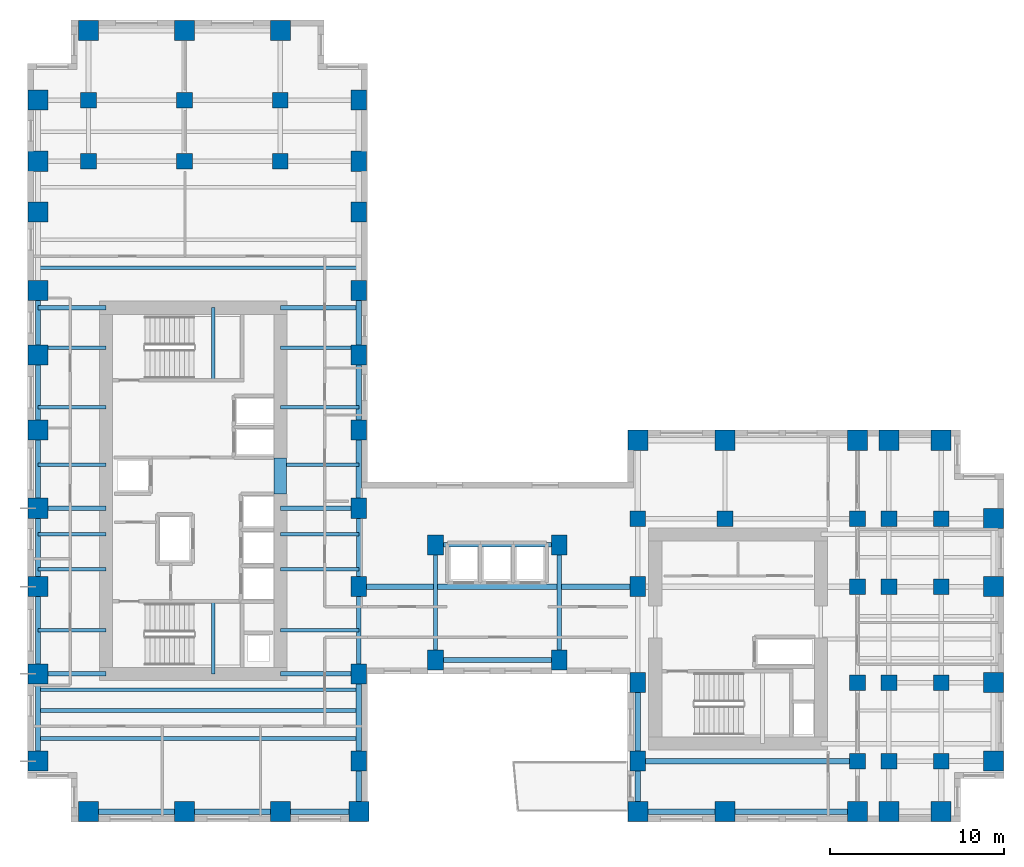
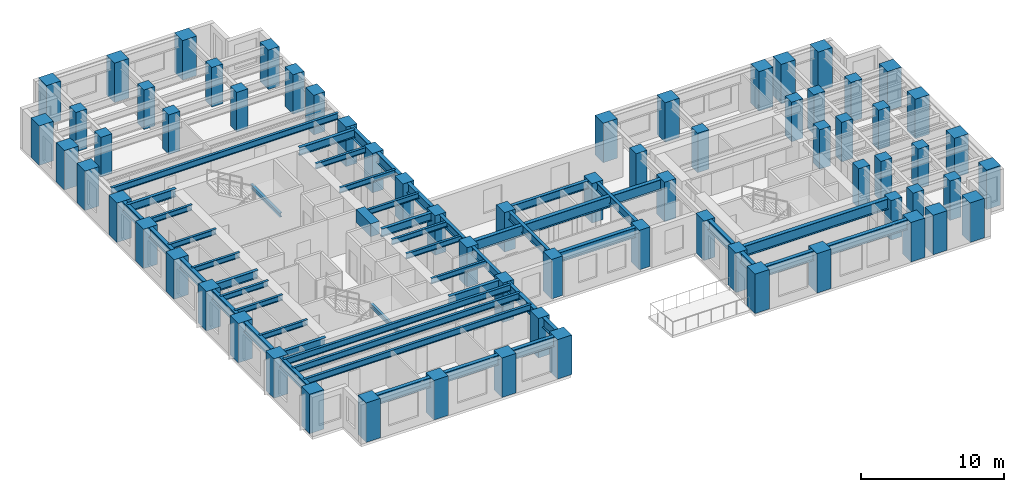
# One storey, part 1 of 12: 68 columns, 51 beams.
"""IFC4 building model written with IfcOpenShell, lengths in metres."""

from ifc_helpers import new_model, si_unit, direction, frame, origin, origin_2d, place, context, subcontext, project, spatial, rectangle, i_section, extrude, source, transform, mapped, material, material_profile, profile_set, type_object, element, save


model = new_model("IFC4")

# Units and contexts
model_context = context("Model", 3, precision=1e-05, world=origin(), true_north=direction((0.0, 1.0)))
body_context = subcontext(model_context, "Body", "Model", "MODEL_VIEW")
ifc_project = project(units=[si_unit("LENGTHUNIT", "METRE"), si_unit("AREAUNIT", "SQUARE_METRE"), si_unit("VOLUMEUNIT", "CUBIC_METRE"), si_unit("PLANEANGLEUNIT", "RADIAN"), si_unit("MASSUNIT", "GRAM", prefix="KILO")], contexts=[model_context])

# Site, building, storey
site_placement = place(None, origin())
site = spatial("IfcSite", under=ifc_project, at=site_placement, CompositionType="ELEMENT")
building_placement = place(site_placement, origin())
building = spatial("IfcBuilding", under=site, at=building_placement, Name="Kharzan Plaza Tower", CompositionType="ELEMENT")
storey_placement = place(building_placement, frame((0.0, 0.0, 106.199951171875)))
storey = spatial("IfcBuildingStorey", under=building, at=storey_placement, Name="L28", CompositionType="ELEMENT", Elevation=106.199951171875)

# Columns
ifc_material_1 = material(Name="Concrete C50/60", Category="concrete")
ifc_material_profile_1 = material_profile(ifc_material_1, rectangle(XDim=0.89990234375, YDim=0.89990234375, at=origin_2d()), Name="RC-IC900x900")
ifc_profile_set_1 = profile_set([ifc_material_profile_1], Name="Concrete C50/60")
column_type_1 = type_object("IfcColumnType", Name="COL-IC900", PredefinedType="COLUMN", material=ifc_profile_set_1)
shared_shape_1 = source(origin(), body_context, "Body", "SweptSolid", [
    extrude(rectangle(XDim=0.89990234375, YDim=0.89990234375, at=origin_2d()), origin(), (0.0, 0.0, 1.0), 3.380126953125),
])
for number, where, z_axis, x_axis, name in (
    (1, (47.60009765625, 13.5, 0.0), (0.0, 0.0, 1.0), (1.0, 0.0, 0.0), "L28 Structural Column TCBI-135"),
    (2, (47.60009765625, 3.5, 0.0), (0.0, 0.0, 1.0), (1.0, 0.0, 0.0), "L28 Structural Column TCBI-35"),
    (3, (47.60009765625, 8.0, 0.0), (0.0, 0.0, 1.0), (1.0, 0.0, 0.0), "L28 Structural Column TCBI-80"),
    (4, (35.0, 17.39990234375, 0.0), (0.0, 0.0, 1.0), (1.0, 0.0, 0.0), "L28 Structural Column TCBN-350-174"),
    (5, (40.0, 17.39990234375, 0.0), (0.0, 0.0, 1.0), (1.0, 0.0, 0.0), "L28 Structural Column TCBN-400-174"),
    (6, (47.60009765625, 17.39990234375, 0.0), (0.0, 0.0, 1.0), (1.0, 0.0, 0.0), "L28 Structural Column TCBN-476-174"),
    (7, (49.39990234375, 13.5, 0.0), (0.0, 0.0, 1.0), (1.0, 0.0, 0.0), "L28 Structural Column TCE-494-135"),
    (8, (49.39990234375, 17.39990234375, 0.0), (0.0, 0.0, 1.0), (1.0, 0.0, 0.0), "L28 Structural Column TCE-494-174"),
    (9, (49.39990234375, 3.5, 0.0), (0.0, 0.0, 1.0), (1.0, 0.0, 0.0), "L28 Structural Column TCE-494-35"),
    (10, (49.39990234375, 8.0, 0.0), (0.0, 0.0, 1.0), (1.0, 0.0, 0.0), "L28 Structural Column TCE-494-80"),
    (11, (52.39990234375, 13.5, 0.0), (0.0, 0.0, 1.0), (1.0, 0.0, 0.0), "L28 Structural Column TCE-524-135"),
    (12, (52.39990234375, 17.39990234375, 0.0), (0.0, 0.0, 1.0), (1.0, 0.0, 0.0), "L28 Structural Column TCE-524-174"),
    (13, (52.39990234375, 3.5, 0.0), (0.0, 0.0, 1.0), (1.0, 0.0, 0.0), "L28 Structural Column TCE-524-35"),
    (14, (52.39990234375, 8.0, 0.0), (0.0, 0.0, 1.0), (1.0, 0.0, 0.0), "L28 Structural Column TCE-524-80"),
    (15, (14.5, 37.89990234375, 0.0), (0.0, 0.0, 1.0), (1.0, 0.0, 0.0), "L28 Structural Column TCN-145-379"),
    (16, (14.5, 41.39990234375, 0.0), (0.0, 0.0, 1.0), (1.0, 0.0, 0.0), "L28 Structural Column TCN-145-414"),
    (17, (3.5, 37.89990234375, 0.0), (0.0, 0.0, 1.0), (1.0, 0.0, 0.0), "L28 Structural Column TCN-35-379"),
    (18, (3.5, 41.39990234375, 0.0), (0.0, 0.0, 1.0), (1.0, 0.0, 0.0), "L28 Structural Column TCN-35-414"),
    (19, (9.0, 37.89990234375, 0.0), (0.0, 0.0, 1.0), (1.0, 0.0, 0.0), "L28 Structural Column TCN-90-379"),
    (20, (9.0, 41.39990234375, 0.0), (0.0, 0.0, 1.0), (1.0, 0.0, 0.0), "L28 Structural Column TCN-90-414"),
):
    element("IfcColumn", number, at=place(storey_placement, frame(where, z_axis=z_axis, x_axis=x_axis)), inside=storey, type_object=column_type_1, Name=name, PredefinedType="COLUMN", context=body_context, shape_type="MappedRepresentation", body=[
        mapped(shared_shape_1, transform((0.0, 0.0, 0.0), x_axis=(1.0, 0.0, 0.0), y_axis=(0.0, 1.0, 0.0), z_axis=(0.0, 0.0, 1.0))),
    ])
ifc_material_2 = material(Name="Concrete C60/75", Category="concrete")
ifc_material_profile_2 = material_profile(ifc_material_2, rectangle(XDim=0.89990234375, YDim=1.14990234375, at=origin_2d()), Name="RC-SC1150x900")
ifc_profile_set_2 = profile_set([ifc_material_profile_2], Name="Concrete C60/75")
column_type_2 = type_object("IfcColumnType", Name="COL-SC1150", PredefinedType="COLUMN", material=ifc_profile_set_2)
shared_shape_2 = source(origin(), body_context, "Body", "SweptSolid", [
    extrude(rectangle(XDim=0.89990234375, YDim=1.14990234375, at=origin_2d()), origin(), (0.0, 0.0, 1.0), 3.380126953125),
])
for number, where, z_axis, x_axis, name in (
    (21, (19.0, 13.5, 0.0), (0.0, 0.0, 1.0), (1.0, 0.0, 0.0), "L28 Structural Column TCA-135"),
    (22, (19.0, 18.0, 0.0), (0.0, 0.0, 1.0), (1.0, 0.0, 0.0), "L28 Structural Column TCA-180"),
    (23, (19.0, 22.5, 0.0), (0.0, 0.0, 1.0), (1.0, 0.0, 0.0), "L28 Structural Column TCA-225"),
    (24, (19.0, 26.800048828125, 0.0), (0.0, 0.0, 1.0), (1.0, 0.0, 0.0), "L28 Structural Column TCA-268"),
    (25, (19.0, 30.5, 0.0), (0.0, 0.0, 1.0), (1.0, 0.0, 0.0), "L28 Structural Column TCA-305"),
    (26, (19.0, 3.5, 0.0), (0.0, 0.0, 1.0), (1.0, 0.0, 0.0), "L28 Structural Column TCA-35"),
    (27, (19.0, 35.0, 0.0), (0.0, 0.0, 1.0), (1.0, 0.0, 0.0), "L28 Structural Column TCA-350"),
    (28, (19.0, 37.89990234375, 0.0), (0.0, 0.0, 1.0), (1.0, 0.0, 0.0), "L28 Structural Column TCA-379"),
    (29, (19.0, 41.39990234375, 0.0), (0.0, 0.0, 1.0), (1.0, 0.0, 0.0), "L28 Structural Column TCA-414"),
    (30, (19.0, 8.5, 0.0), (0.0, 0.0, 1.0), (1.0, 0.0, 0.0), "L28 Structural Column TCA-85"),
    (31, (35.0, 13.5, 0.0), (0.0, 0.0, 1.0), (1.0, 0.0, 0.0), "L28 Structural Column TCBS-135"),
    (32, (35.0, 3.5, 0.0), (0.0, 0.0, 1.0), (1.0, 0.0, 0.0), "L28 Structural Column TCBS-35"),
    (33, (35.0, 8.0, 0.0), (0.0, 0.0, 1.0), (1.0, 0.0, 0.0), "L28 Structural Column TCBS-80"),
    (34, (23.39990234375, 15.89990234375, 0.0), (0.0, 0.0, 1.0), (1.0, 0.0, 0.0), "L28 Structural Column TCSP-234-159"),
    (35, (23.39990234375, 9.300048828125, 0.0), (0.0, 0.0, 1.0), (1.0, 0.0, 0.0), "L28 Structural Column TCSP-234-93"),
    (36, (30.5, 15.89990234375, 0.0), (0.0, 0.0, 1.0), (1.0, 0.0, 0.0), "L28 Structural Column TCSP-305-159"),
    (37, (30.5, 9.300048828125, 0.0), (0.0, 0.0, 1.0), (1.0, 0.0, 0.0), "L28 Structural Column TCSP-305-93"),
):
    element("IfcColumn", number, at=place(storey_placement, frame(where, z_axis=z_axis, x_axis=x_axis)), inside=storey, type_object=column_type_2, Name=name, PredefinedType="COLUMN", context=body_context, shape_type="MappedRepresentation", body=[
        mapped(shared_shape_2, transform((0.0, 0.0, 0.0), x_axis=(1.0, 0.0, 0.0), y_axis=(0.0, 1.0, 0.0), z_axis=(0.0, 0.0, 1.0))),
    ])
ifc_material_profile_3 = material_profile(ifc_material_2, rectangle(XDim=1.14990234375, YDim=1.14990234375, at=origin_2d()), Name="RC-TC1150x1150")
ifc_profile_set_3 = profile_set([ifc_material_profile_3], Name="Concrete C60/75")
column_type_3 = type_object("IfcColumnType", Name="COL-TC1150", PredefinedType="COLUMN", material=ifc_profile_set_3)
shared_shape_3 = source(origin(), body_context, "Body", "SweptSolid", [
    extrude(rectangle(XDim=1.14990234375, YDim=1.14990234375, at=origin_2d()), origin(), (0.0, 0.0, 1.0), 3.380126953125),
])
for number, where, z_axis, x_axis, name in (
    (38, (35.0, 21.89990234375, 0.0), (0.0, 0.0, 1.0), (1.0, 0.0, 0.0), "L28 Structural Column TCBN-350-219"),
    (39, (40.0, 21.89990234375, 0.0), (0.0, 0.0, 1.0), (1.0, 0.0, 0.0), "L28 Structural Column TCBN-400-219"),
    (40, (47.60009765625, 21.89990234375, 0.0), (0.0, 0.0, 1.0), (1.0, 0.0, 0.0), "L28 Structural Column TCBN-476-219"),
    (41, (49.39990234375, 21.89990234375, 0.0), (0.0, 0.0, 1.0), (1.0, 0.0, 0.0), "L28 Structural Column TCBN-494-219"),
    (42, (52.39990234375, 21.89990234375, 0.0), (0.0, 0.0, 1.0), (1.0, 0.0, 0.0), "L28 Structural Column TCBN-524-219"),
    (43, (55.39990234375, 13.5, 0.0), (0.0, 0.0, 1.0), (1.0, 0.0, 0.0), "L28 Structural Column TCE-554-135"),
    (44, (55.39990234375, 17.39990234375, 0.0), (0.0, 0.0, 1.0), (1.0, 0.0, 0.0), "L28 Structural Column TCE-554-174"),
    (45, (55.39990234375, 3.5, 0.0), (0.0, 0.0, 1.0), (1.0, 0.0, 0.0), "L28 Structural Column TCE-554-35"),
    (46, (55.39990234375, 8.0, 0.0), (0.0, 0.0, 1.0), (1.0, 0.0, 0.0), "L28 Structural Column TCE-554-80"),
    (47, (14.5, 45.39990234375, 0.0), (0.0, 0.0, 1.0), (1.0, 0.0, 0.0), "L28 Structural Column TCN-145-454"),
    (48, (3.5, 45.39990234375, 0.0), (0.0, 0.0, 1.0), (1.0, 0.0, 0.0), "L28 Structural Column TCN-35-454"),
    (49, (9.0, 45.39990234375, 0.0), (0.0, 0.0, 1.0), (1.0, 0.0, 0.0), "L28 Structural Column TCN-90-454"),
    (50, (14.5, 0.60009765625, 0.0), (0.0, 0.0, 1.0), (1.0, 0.0, 0.0), "L28 Structural Column TCS-145"),
    (51, (19.0, 0.60009765625, 0.0), (0.0, 0.0, 1.0), (1.0, 0.0, 0.0), "L28 Structural Column TCS-190"),
    (52, (3.5, 0.60009765625, 0.0), (0.0, 0.0, 1.0), (1.0, 0.0, 0.0), "L28 Structural Column TCS-35"),
    (53, (35.0, 0.60009765625, 0.0), (0.0, 0.0, 1.0), (1.0, 0.0, 0.0), "L28 Structural Column TCS-350"),
    (54, (40.0, 0.60009765625, 0.0), (0.0, 0.0, 1.0), (1.0, 0.0, 0.0), "L28 Structural Column TCS-400"),
    (55, (47.60009765625, 0.60009765625, 0.0), (0.0, 0.0, 1.0), (1.0, 0.0, 0.0), "L28 Structural Column TCS-476"),
    (56, (49.39990234375, 0.60009765625, 0.0), (0.0, 0.0, 1.0), (1.0, 0.0, 0.0), "L28 Structural Column TCS-494"),
    (57, (52.39990234375, 0.60009765625, 0.0), (0.0, 0.0, 1.0), (1.0, 0.0, 0.0), "L28 Structural Column TCS-524"),
    (58, (9.0, 0.60009765625, 0.0), (0.0, 0.0, 1.0), (1.0, 0.0, 0.0), "L28 Structural Column TCS-90"),
    (59, (0.60009765625, 13.5, 0.0), (0.0, 0.0, 1.0), (1.0, 0.0, 0.0), "L28 Structural Column TCW-135"),
    (60, (0.60009765625, 18.0, 0.0), (0.0, 0.0, 1.0), (1.0, 0.0, 0.0), "L28 Structural Column TCW-180"),
    (61, (0.60009765625, 22.5, 0.0), (0.0, 0.0, 1.0), (1.0, 0.0, 0.0), "L28 Structural Column TCW-225"),
    (62, (0.60009765625, 26.800048828125, 0.0), (0.0, 0.0, 1.0), (1.0, 0.0, 0.0), "L28 Structural Column TCW-268"),
    (63, (0.60009765625, 30.5, 0.0), (0.0, 0.0, 1.0), (1.0, 0.0, 0.0), "L28 Structural Column TCW-305"),
    (64, (0.60009765625, 3.5, 0.0), (0.0, 0.0, 1.0), (1.0, 0.0, 0.0), "L28 Structural Column TCW-35"),
    (65, (0.60009765625, 35.0, 0.0), (0.0, 0.0, 1.0), (1.0, 0.0, 0.0), "L28 Structural Column TCW-350"),
    (66, (0.60009765625, 37.89990234375, 0.0), (0.0, 0.0, 1.0), (1.0, 0.0, 0.0), "L28 Structural Column TCW-379"),
    (67, (0.60009765625, 41.39990234375, 0.0), (0.0, 0.0, 1.0), (1.0, 0.0, 0.0), "L28 Structural Column TCW-414"),
    (68, (0.60009765625, 8.5, 0.0), (0.0, 0.0, 1.0), (1.0, 0.0, 0.0), "L28 Structural Column TCW-85"),
):
    element("IfcColumn", number, at=place(storey_placement, frame(where, z_axis=z_axis, x_axis=x_axis)), inside=storey, type_object=column_type_3, Name=name, PredefinedType="COLUMN", context=body_context, shape_type="MappedRepresentation", body=[
        mapped(shared_shape_3, transform((0.0, 0.0, 0.0), x_axis=(1.0, 0.0, 0.0), y_axis=(0.0, 1.0, 0.0), z_axis=(0.0, 0.0, 1.0))),
    ])

# Beams
ifc_material_profile_4 = material_profile(ifc_material_2, rectangle(XDim=0.699951171875, YDim=1.10009765625, at=origin_2d()), Name="RC-CB1100x700")
ifc_profile_set_4 = profile_set([ifc_material_profile_4], Name="Concrete C60/75")
beam_type_1 = type_object("IfcBeamType", Name="BM-RCCB1100", PredefinedType="LINTEL", material=ifc_profile_set_4)
shared_shape_4 = source(origin(), body_context, "Body", "SweptSolid", [
    extrude(rectangle(XDim=0.699951171875, YDim=1.10009765625, at=origin_2d()), origin(), (0.0, 0.0, 1.0), 2.059814453125),
])
beam_1_placement = place(storey_placement, frame((14.5, 18.820068359375, 2.830078125), z_axis=(0.0, 1.0, 0.0), x_axis=(-1.0, 0.0, 0.0)))
element("IfcBeam", 69, at=beam_1_placement, inside=storey, type_object=beam_type_1, Name="L28 CORE-A RC coupling beam CB1", PredefinedType="LINTEL", context=body_context, shape_type="MappedRepresentation", body=[
    mapped(shared_shape_4, transform((0.0, 0.0, 0.0), x_axis=(1.0, 0.0, 0.0), y_axis=(0.0, 1.0, 0.0), z_axis=(0.0, 0.0, 1.0))),
])
ifc_material_3 = material(Name="Steel S355", Category="steel")
ifc_material_profile_5 = material_profile(ifc_material_3, i_section(OverallWidth=0.205078125, OverallDepth=0.35400390625, WebThickness=0.009521484375, FlangeThickness=0.016845703125, at=origin_2d()), Name="W360x79")
ifc_profile_set_5 = profile_set([ifc_material_profile_5], Name="Steel S355")
beam_type_2 = type_object("IfcBeamType", Name="BM-LNT360", PredefinedType="LINTEL", material=ifc_profile_set_5)
shared_shape_5 = source(origin(), body_context, "Body", "SweptSolid", [
    extrude(i_section(OverallWidth=0.205078125, OverallDepth=0.35400390625, WebThickness=0.009521484375, FlangeThickness=0.016845703125, at=origin_2d()), origin(), (0.0, 0.0, 1.0), 4.155029296875),
])
for number, where, z_axis, x_axis, name in (
    (70, (10.64990234375, 8.5, 1.423095703125), (0.0, 1.0, 0.0), (-1.0, 0.0, 0.0), "L28 Stair ST-1 Half-Landing Beam"),
    (71, (10.64990234375, 25.344970703125, 1.423095703125), (0.0, 1.0, 0.0), (-1.0, 0.0, 0.0), "L28 Stair ST-2 Half-Landing Beam"),
):
    element("IfcBeam", number, at=place(storey_placement, frame(where, z_axis=z_axis, x_axis=x_axis)), inside=storey, type_object=beam_type_2, Name=name, PredefinedType="LINTEL", context=body_context, shape_type="MappedRepresentation", body=[
        mapped(shared_shape_5, transform((0.0, 0.0, 0.0), x_axis=(1.0, 0.0, 0.0), y_axis=(0.0, 1.0, 0.0), z_axis=(0.0, 0.0, 1.0))),
    ])
ifc_material_profile_6 = material_profile(ifc_material_3, i_section(OverallWidth=0.304931640625, OverallDepth=0.9189453125, WebThickness=0.017333984375, FlangeThickness=0.02783203125, at=origin_2d()), Name="W920x253")
ifc_profile_set_6 = profile_set([ifc_material_profile_6], Name="Steel S355")
beam_type_3 = type_object("IfcBeamType", Name="BM-FG920B", PredefinedType="BEAM", material=ifc_profile_set_6)
shared_shape_6 = source(origin(), body_context, "Body", "SweptSolid", [
    extrude(i_section(OverallWidth=0.304931640625, OverallDepth=0.9189453125, WebThickness=0.017333984375, FlangeThickness=0.02783203125, at=origin_2d()), origin(), (0.0, 0.0, 1.0), 12.60009765625),
])
beam_2_placement = place(storey_placement, frame((35.0, 3.5, 2.920654296875), z_axis=(1.0, 0.0, 0.0), x_axis=(0.0, 1.0, 0.0)))
element("IfcBeam", 72, at=beam_2_placement, inside=storey, type_object=beam_type_3, Name="L28 Primary Floor Girder", PredefinedType="BEAM", context=body_context, shape_type="MappedRepresentation", body=[
    mapped(shared_shape_6, transform((0.0, 0.0, 0.0), x_axis=(1.0, 0.0, 0.0), y_axis=(0.0, 1.0, 0.0), z_axis=(0.0, 0.0, 1.0))),
])
shared_shape_7 = source(origin(), body_context, "Body", "SweptSolid", [
    extrude(i_section(OverallWidth=0.304931640625, OverallDepth=0.9189453125, WebThickness=0.017333984375, FlangeThickness=0.02783203125, at=origin_2d()), origin(), (0.0, 0.0, 1.0), 16.0),
])
beam_3_placement = place(storey_placement, frame((19.0, 13.5, 2.920654296875), z_axis=(1.0, 0.0, 0.0), x_axis=(0.0, 1.0, 0.0)))
element("IfcBeam", 73, at=beam_3_placement, inside=storey, type_object=beam_type_3, Name="L28 Primary Floor Girder", PredefinedType="BEAM", context=body_context, shape_type="MappedRepresentation", body=[
    mapped(shared_shape_7, transform((0.0, 0.0, 0.0), x_axis=(1.0, 0.0, 0.0), y_axis=(0.0, 1.0, 0.0), z_axis=(0.0, 0.0, 1.0))),
])
ifc_material_profile_7 = material_profile(ifc_material_3, i_section(OverallWidth=0.2099609375, OverallDepth=0.537109375, WebThickness=0.010986328125, FlangeThickness=0.017333984375, at=origin_2d()), Name="W530x101")
ifc_profile_set_7 = profile_set([ifc_material_profile_7], Name="Steel S355")
beam_type_4 = type_object("IfcBeamType", Name="BM-JST530B", PredefinedType="JOIST", material=ifc_profile_set_7)
shared_shape_8 = source(origin(), body_context, "Body", "SweptSolid", [
    extrude(i_section(OverallWidth=0.2099609375, OverallDepth=0.537109375, WebThickness=0.010986328125, FlangeThickness=0.017333984375, at=origin_2d()), origin(), (0.0, 0.0, 1.0), 18.39990234375),
])
for number, where, z_axis, x_axis, name in (
    (74, (0.60009765625, 4.800048828125, 3.111572265625), (1.0, 0.0, 0.0), (0.0, 1.0, 0.0), "L28 Wing A Composite Joist 01"),
    (75, (0.60009765625, 6.39990234375, 3.111572265625), (1.0, 0.0, 0.0), (0.0, 1.0, 0.0), "L28 Wing A Composite Joist 02"),
    (76, (0.60009765625, 7.60009765625, 3.111572265625), (1.0, 0.0, 0.0), (0.0, 1.0, 0.0), "L28 Wing A Composite Joist 03"),
    (77, (0.60009765625, 31.800048828125, 3.111572265625), (1.0, 0.0, 0.0), (0.0, 1.0, 0.0), "L28 Wing A Composite Joist 04"),
):
    element("IfcBeam", number, at=place(storey_placement, frame(where, z_axis=z_axis, x_axis=x_axis)), inside=storey, type_object=beam_type_4, Name=name, PredefinedType="JOIST", context=body_context, shape_type="MappedRepresentation", body=[
        mapped(shared_shape_8, transform((0.0, 0.0, 0.0), x_axis=(1.0, 0.0, 0.0), y_axis=(0.0, 1.0, 0.0), z_axis=(0.0, 0.0, 1.0))),
    ])
ifc_material_profile_8 = material_profile(ifc_material_3, i_section(OverallWidth=0.194091796875, OverallDepth=0.468994140625, WebThickness=0.011474609375, FlangeThickness=0.0205078125, at=origin_2d()), Name="W460x106")
ifc_profile_set_8 = profile_set([ifc_material_profile_8], Name="Steel S355")
beam_type_5 = type_object("IfcBeamType", Name="BM-JST460", PredefinedType="JOIST", material=ifc_profile_set_8)
shared_shape_9 = source(origin(), body_context, "Body", "SweptSolid", [
    extrude(i_section(OverallWidth=0.194091796875, OverallDepth=0.468994140625, WebThickness=0.011474609375, FlangeThickness=0.0205078125, at=origin_2d()), origin(), (0.0, 0.0, 1.0), 4.5),
])
for number, where, z_axis, x_axis, name in (
    (78, (14.5, 11.0, 3.1455078125), (1.0, 0.0, 0.0), (0.0, 1.0, 0.0), "L28 Wing A East Infill Joist 1"),
    (79, (14.5, 14.5, 3.1455078125), (1.0, 0.0, 0.0), (0.0, 1.0, 0.0), "L28 Wing A East Infill Joist 2"),
    (80, (14.5, 16.5, 3.1455078125), (1.0, 0.0, 0.0), (0.0, 1.0, 0.0), "L28 Wing A East Infill Joist 3"),
    (81, (14.5, 20.5, 3.1455078125), (1.0, 0.0, 0.0), (0.0, 1.0, 0.0), "L28 Wing A East Infill Joist 4"),
    (82, (14.5, 23.800048828125, 3.1455078125), (1.0, 0.0, 0.0), (0.0, 1.0, 0.0), "L28 Wing A East Infill Joist 5"),
    (83, (14.5, 27.199951171875, 3.1455078125), (1.0, 0.0, 0.0), (0.0, 1.0, 0.0), "L28 Wing A East Infill Joist 6"),
):
    element("IfcBeam", number, at=place(storey_placement, frame(where, z_axis=z_axis, x_axis=x_axis)), inside=storey, type_object=beam_type_5, Name=name, PredefinedType="JOIST", context=body_context, shape_type="MappedRepresentation", body=[
        mapped(shared_shape_9, transform((0.0, 0.0, 0.0), x_axis=(1.0, 0.0, 0.0), y_axis=(0.0, 1.0, 0.0), z_axis=(0.0, 0.0, 1.0))),
    ])
shared_shape_10 = source(origin(), body_context, "Body", "SweptSolid", [
    extrude(i_section(OverallWidth=0.194091796875, OverallDepth=0.468994140625, WebThickness=0.011474609375, FlangeThickness=0.0205078125, at=origin_2d()), origin(), (0.0, 0.0, 1.0), 3.89990234375),
])
for number, where, z_axis, x_axis, name in (
    (84, (0.60009765625, 11.0, 3.1455078125), (1.0, 0.0, 0.0), (0.0, 1.0, 0.0), "L28 Wing A West Infill Joist 1"),
    (85, (0.60009765625, 14.5, 3.1455078125), (1.0, 0.0, 0.0), (0.0, 1.0, 0.0), "L28 Wing A West Infill Joist 2"),
    (86, (0.60009765625, 16.5, 3.1455078125), (1.0, 0.0, 0.0), (0.0, 1.0, 0.0), "L28 Wing A West Infill Joist 3"),
    (87, (0.60009765625, 20.5, 3.1455078125), (1.0, 0.0, 0.0), (0.0, 1.0, 0.0), "L28 Wing A West Infill Joist 4"),
    (88, (0.60009765625, 23.800048828125, 3.1455078125), (1.0, 0.0, 0.0), (0.0, 1.0, 0.0), "L28 Wing A West Infill Joist 5"),
    (89, (0.60009765625, 27.199951171875, 3.1455078125), (1.0, 0.0, 0.0), (0.0, 1.0, 0.0), "L28 Wing A West Infill Joist 6"),
):
    element("IfcBeam", number, at=place(storey_placement, frame(where, z_axis=z_axis, x_axis=x_axis)), inside=storey, type_object=beam_type_5, Name=name, PredefinedType="JOIST", context=body_context, shape_type="MappedRepresentation", body=[
        mapped(shared_shape_10, transform((0.0, 0.0, 0.0), x_axis=(1.0, 0.0, 0.0), y_axis=(0.0, 1.0, 0.0), z_axis=(0.0, 0.0, 1.0))),
    ])
ifc_material_profile_9 = material_profile(ifc_material_3, i_section(OverallWidth=0.25390625, OverallDepth=0.68798828125, WebThickness=0.01318359375, FlangeThickness=0.02099609375, at=origin_2d()), Name="W690x152")
ifc_profile_set_9 = profile_set([ifc_material_profile_9], Name="Steel S355")
beam_type_6 = type_object("IfcBeamType", Name="BM-FG690B", PredefinedType="BEAM", material=ifc_profile_set_9)
shared_shape_11 = source(origin(), body_context, "Body", "SweptSolid", [
    extrude(i_section(OverallWidth=0.25390625, OverallDepth=0.68798828125, WebThickness=0.01318359375, FlangeThickness=0.02099609375, at=origin_2d()), origin(), (0.0, 0.0, 1.0), 4.5),
])
for number, where, z_axis, x_axis, name in (
    (90, (14.5, 8.5, 3.0361328125), (1.0, 0.0, 0.0), (0.0, 1.0, 0.0), "L28 Core-A East Floor Girder 1"),
    (91, (14.5, 18.0, 3.0361328125), (1.0, 0.0, 0.0), (0.0, 1.0, 0.0), "L28 Core-A East Floor Girder 2"),
    (92, (14.5, 29.5, 3.0361328125), (1.0, 0.0, 0.0), (0.0, 1.0, 0.0), "L28 Core-A East Floor Girder 3"),
    (93, (19.0, 13.5, 3.0361328125), (0.0, 1.0, 0.0), (-1.0, 0.0, 0.0), "L28 Interior Frame Girder"),
):
    element("IfcBeam", number, at=place(storey_placement, frame(where, z_axis=z_axis, x_axis=x_axis)), inside=storey, type_object=beam_type_6, Name=name, PredefinedType="BEAM", context=body_context, shape_type="MappedRepresentation", body=[
        mapped(shared_shape_11, transform((0.0, 0.0, 0.0), x_axis=(1.0, 0.0, 0.0), y_axis=(0.0, 1.0, 0.0), z_axis=(0.0, 0.0, 1.0))),
    ])
shared_shape_12 = source(origin(), body_context, "Body", "SweptSolid", [
    extrude(i_section(OverallWidth=0.25390625, OverallDepth=0.68798828125, WebThickness=0.01318359375, FlangeThickness=0.02099609375, at=origin_2d()), origin(), (0.0, 0.0, 1.0), 3.89990234375),
])
for number, where, z_axis, x_axis, name in (
    (94, (0.60009765625, 8.5, 3.0361328125), (1.0, 0.0, 0.0), (0.0, 1.0, 0.0), "L28 Core-A West Floor Girder 1"),
    (95, (0.60009765625, 18.0, 3.0361328125), (1.0, 0.0, 0.0), (0.0, 1.0, 0.0), "L28 Core-A West Floor Girder 2"),
    (96, (0.60009765625, 29.5, 3.0361328125), (1.0, 0.0, 0.0), (0.0, 1.0, 0.0), "L28 Core-A West Floor Girder 3"),
):
    element("IfcBeam", number, at=place(storey_placement, frame(where, z_axis=z_axis, x_axis=x_axis)), inside=storey, type_object=beam_type_6, Name=name, PredefinedType="BEAM", context=body_context, shape_type="MappedRepresentation", body=[
        mapped(shared_shape_12, transform((0.0, 0.0, 0.0), x_axis=(1.0, 0.0, 0.0), y_axis=(0.0, 1.0, 0.0), z_axis=(0.0, 0.0, 1.0))),
    ])
shared_shape_13 = source(origin(), body_context, "Body", "SweptSolid", [
    extrude(i_section(OverallWidth=0.25390625, OverallDepth=0.68798828125, WebThickness=0.01318359375, FlangeThickness=0.02099609375, at=origin_2d()), origin(), (0.0, 0.0, 1.0), 5.0),
])
beam_4_placement = place(storey_placement, frame((19.0, 8.5, 3.0361328125), z_axis=(0.0, 1.0, 0.0), x_axis=(-1.0, 0.0, 0.0)))
element("IfcBeam", 97, at=beam_4_placement, inside=storey, type_object=beam_type_6, Name="L28 Interior Frame Girder", PredefinedType="BEAM", context=body_context, shape_type="MappedRepresentation", body=[
    mapped(shared_shape_13, transform((0.0, 0.0, 0.0), x_axis=(1.0, 0.0, 0.0), y_axis=(0.0, 1.0, 0.0), z_axis=(0.0, 0.0, 1.0))),
])
shared_shape_14 = source(origin(), body_context, "Body", "SweptSolid", [
    extrude(i_section(OverallWidth=0.25390625, OverallDepth=0.68798828125, WebThickness=0.01318359375, FlangeThickness=0.02099609375, at=origin_2d()), origin(), (0.0, 0.0, 1.0), 6.599853515625),
])
for number, where, z_axis, x_axis, name in (
    (98, (23.39990234375, 9.300048828125, 3.0361328125), (0.0, 1.0, 0.0), (-1.0, 0.0, 0.0), "L28 Interior Frame Girder"),
    (99, (30.5, 9.300048828125, 3.0361328125), (0.0, 1.0, 0.0), (-1.0, 0.0, 0.0), "L28 Interior Frame Girder"),
):
    element("IfcBeam", number, at=place(storey_placement, frame(where, z_axis=z_axis, x_axis=x_axis)), inside=storey, type_object=beam_type_6, Name=name, PredefinedType="BEAM", context=body_context, shape_type="MappedRepresentation", body=[
        mapped(shared_shape_14, transform((0.0, 0.0, 0.0), x_axis=(1.0, 0.0, 0.0), y_axis=(0.0, 1.0, 0.0), z_axis=(0.0, 0.0, 1.0))),
    ])
shared_shape_15 = source(origin(), body_context, "Body", "SweptSolid", [
    extrude(i_section(OverallWidth=0.25390625, OverallDepth=0.68798828125, WebThickness=0.01318359375, FlangeThickness=0.02099609375, at=origin_2d()), origin(), (0.0, 0.0, 1.0), 7.10009765625),
])
beam_5_placement = place(storey_placement, frame((23.39990234375, 15.89990234375, 3.0361328125), z_axis=(1.0, 0.0, 0.0), x_axis=(0.0, 1.0, 0.0)))
element("IfcBeam", 100, at=beam_5_placement, inside=storey, type_object=beam_type_6, Name="L28 Primary Floor Girder", PredefinedType="BEAM", context=body_context, shape_type="MappedRepresentation", body=[
    mapped(shared_shape_15, transform((0.0, 0.0, 0.0), x_axis=(1.0, 0.0, 0.0), y_axis=(0.0, 1.0, 0.0), z_axis=(0.0, 0.0, 1.0))),
])
ifc_material_profile_10 = material_profile(ifc_material_3, i_section(OverallWidth=0.299072265625, OverallDepth=0.845947265625, WebThickness=0.015380859375, FlangeThickness=0.0244140625, at=origin_2d()), Name="W840x210")
ifc_profile_set_10 = profile_set([ifc_material_profile_10], Name="Steel S355")
beam_type_7 = type_object("IfcBeamType", Name="BM-SP840B", PredefinedType="SPANDREL", material=ifc_profile_set_10)
shared_shape_16 = source(origin(), body_context, "Body", "SweptSolid", [
    extrude(i_section(OverallWidth=0.299072265625, OverallDepth=0.845947265625, WebThickness=0.015380859375, FlangeThickness=0.0244140625, at=origin_2d()), origin(), (0.0, 0.0, 1.0), 5.0),
])
for number, where, z_axis, x_axis, name in (
    (101, (0.60009765625, 3.5, 2.95703125), (0.0, 1.0, 0.0), (-1.0, 0.0, 0.0), "L28 Perimeter Tube Spandrel"),
    (102, (0.60009765625, 8.5, 2.95703125), (0.0, 1.0, 0.0), (-1.0, 0.0, 0.0), "L28 Perimeter Tube Spandrel"),
    (103, (19.0, 3.5, 2.95703125), (0.0, 1.0, 0.0), (-1.0, 0.0, 0.0), "L28 Perimeter Tube Spandrel"),
    (104, (35.0, 0.60009765625, 2.95703125), (1.0, 0.0, 0.0), (0.0, 1.0, 0.0), "L28 Perimeter Tube Spandrel"),
):
    element("IfcBeam", number, at=place(storey_placement, frame(where, z_axis=z_axis, x_axis=x_axis)), inside=storey, type_object=beam_type_7, Name=name, PredefinedType="SPANDREL", context=body_context, shape_type="MappedRepresentation", body=[
        mapped(shared_shape_16, transform((0.0, 0.0, 0.0), x_axis=(1.0, 0.0, 0.0), y_axis=(0.0, 1.0, 0.0), z_axis=(0.0, 0.0, 1.0))),
    ])
shared_shape_17 = source(origin(), body_context, "Body", "SweptSolid", [
    extrude(i_section(OverallWidth=0.299072265625, OverallDepth=0.845947265625, WebThickness=0.015380859375, FlangeThickness=0.0244140625, at=origin_2d()), origin(), (0.0, 0.0, 1.0), 4.5),
])
for number, where, z_axis, x_axis, name in (
    (105, (0.60009765625, 13.5, 2.95703125), (0.0, 1.0, 0.0), (-1.0, 0.0, 0.0), "L28 Perimeter Tube Spandrel"),
    (106, (0.60009765625, 18.0, 2.95703125), (0.0, 1.0, 0.0), (-1.0, 0.0, 0.0), "L28 Perimeter Tube Spandrel"),
    (107, (19.0, 18.0, 2.95703125), (0.0, 1.0, 0.0), (-1.0, 0.0, 0.0), "L28 Perimeter Tube Spandrel"),
    (108, (35.0, 3.5, 2.95703125), (0.0, 1.0, 0.0), (-1.0, 0.0, 0.0), "L28 Perimeter Tube Spandrel"),
    (109, (14.5, 0.60009765625, 2.95703125), (1.0, 0.0, 0.0), (0.0, 1.0, 0.0), "L28 Perimeter Tube Spandrel"),
):
    element("IfcBeam", number, at=place(storey_placement, frame(where, z_axis=z_axis, x_axis=x_axis)), inside=storey, type_object=beam_type_7, Name=name, PredefinedType="SPANDREL", context=body_context, shape_type="MappedRepresentation", body=[
        mapped(shared_shape_17, transform((0.0, 0.0, 0.0), x_axis=(1.0, 0.0, 0.0), y_axis=(0.0, 1.0, 0.0), z_axis=(0.0, 0.0, 1.0))),
    ])
shared_shape_18 = source(origin(), body_context, "Body", "SweptSolid", [
    extrude(i_section(OverallWidth=0.299072265625, OverallDepth=0.845947265625, WebThickness=0.015380859375, FlangeThickness=0.0244140625, at=origin_2d()), origin(), (0.0, 0.0, 1.0), 4.300048828125),
])
for number, where, z_axis, x_axis, name in (
    (110, (0.60009765625, 22.5, 2.95703125), (0.0, 1.0, 0.0), (-1.0, 0.0, 0.0), "L28 Perimeter Tube Spandrel"),
    (111, (19.0, 22.5, 2.95703125), (0.0, 1.0, 0.0), (-1.0, 0.0, 0.0), "L28 Perimeter Tube Spandrel"),
):
    element("IfcBeam", number, at=place(storey_placement, frame(where, z_axis=z_axis, x_axis=x_axis)), inside=storey, type_object=beam_type_7, Name=name, PredefinedType="SPANDREL", context=body_context, shape_type="MappedRepresentation", body=[
        mapped(shared_shape_18, transform((0.0, 0.0, 0.0), x_axis=(1.0, 0.0, 0.0), y_axis=(0.0, 1.0, 0.0), z_axis=(0.0, 0.0, 1.0))),
    ])
shared_shape_19 = source(origin(), body_context, "Body", "SweptSolid", [
    extrude(i_section(OverallWidth=0.299072265625, OverallDepth=0.845947265625, WebThickness=0.015380859375, FlangeThickness=0.0244140625, at=origin_2d()), origin(), (0.0, 0.0, 1.0), 3.699951171875),
])
for number, where, z_axis, x_axis, name in (
    (112, (0.60009765625, 26.800048828125, 2.95703125), (0.0, 1.0, 0.0), (-1.0, 0.0, 0.0), "L28 Perimeter Tube Spandrel"),
    (113, (19.0, 26.800048828125, 2.95703125), (0.0, 1.0, 0.0), (-1.0, 0.0, 0.0), "L28 Perimeter Tube Spandrel"),
):
    element("IfcBeam", number, at=place(storey_placement, frame(where, z_axis=z_axis, x_axis=x_axis)), inside=storey, type_object=beam_type_7, Name=name, PredefinedType="SPANDREL", context=body_context, shape_type="MappedRepresentation", body=[
        mapped(shared_shape_19, transform((0.0, 0.0, 0.0), x_axis=(1.0, 0.0, 0.0), y_axis=(0.0, 1.0, 0.0), z_axis=(0.0, 0.0, 1.0))),
    ])
shared_shape_20 = source(origin(), body_context, "Body", "SweptSolid", [
    extrude(i_section(OverallWidth=0.299072265625, OverallDepth=0.845947265625, WebThickness=0.015380859375, FlangeThickness=0.0244140625, at=origin_2d()), origin(), (0.0, 0.0, 1.0), 2.89990234375),
])
for number, where, z_axis, x_axis, name in (
    (114, (19.0, 0.60009765625, 2.95703125), (0.0, 1.0, 0.0), (-1.0, 0.0, 0.0), "L28 Perimeter Tube Spandrel"),
    (115, (35.0, 0.60009765625, 2.95703125), (0.0, 1.0, 0.0), (-1.0, 0.0, 0.0), "L28 Perimeter Tube Spandrel"),
):
    element("IfcBeam", number, at=place(storey_placement, frame(where, z_axis=z_axis, x_axis=x_axis)), inside=storey, type_object=beam_type_7, Name=name, PredefinedType="SPANDREL", context=body_context, shape_type="MappedRepresentation", body=[
        mapped(shared_shape_20, transform((0.0, 0.0, 0.0), x_axis=(1.0, 0.0, 0.0), y_axis=(0.0, 1.0, 0.0), z_axis=(0.0, 0.0, 1.0))),
    ])
shared_shape_21 = source(origin(), body_context, "Body", "SweptSolid", [
    extrude(i_section(OverallWidth=0.299072265625, OverallDepth=0.845947265625, WebThickness=0.015380859375, FlangeThickness=0.0244140625, at=origin_2d()), origin(), (0.0, 0.0, 1.0), 5.5),
])
for number, where, z_axis, x_axis, name in (
    (116, (3.5, 0.60009765625, 2.95703125), (1.0, 0.0, 0.0), (0.0, 1.0, 0.0), "L28 Perimeter Tube Spandrel"),
    (117, (9.0, 0.60009765625, 2.95703125), (1.0, 0.0, 0.0), (0.0, 1.0, 0.0), "L28 Perimeter Tube Spandrel"),
):
    element("IfcBeam", number, at=place(storey_placement, frame(where, z_axis=z_axis, x_axis=x_axis)), inside=storey, type_object=beam_type_7, Name=name, PredefinedType="SPANDREL", context=body_context, shape_type="MappedRepresentation", body=[
        mapped(shared_shape_21, transform((0.0, 0.0, 0.0), x_axis=(1.0, 0.0, 0.0), y_axis=(0.0, 1.0, 0.0), z_axis=(0.0, 0.0, 1.0))),
    ])
shared_shape_22 = source(origin(), body_context, "Body", "SweptSolid", [
    extrude(i_section(OverallWidth=0.299072265625, OverallDepth=0.845947265625, WebThickness=0.015380859375, FlangeThickness=0.0244140625, at=origin_2d()), origin(), (0.0, 0.0, 1.0), 7.60009765625),
])
beam_6_placement = place(storey_placement, frame((40.0, 0.60009765625, 2.95703125), z_axis=(1.0, 0.0, 0.0), x_axis=(0.0, 1.0, 0.0)))
element("IfcBeam", 118, at=beam_6_placement, inside=storey, type_object=beam_type_7, Name="L28 Perimeter Tube Spandrel", PredefinedType="SPANDREL", context=body_context, shape_type="MappedRepresentation", body=[
    mapped(shared_shape_22, transform((0.0, 0.0, 0.0), x_axis=(1.0, 0.0, 0.0), y_axis=(0.0, 1.0, 0.0), z_axis=(0.0, 0.0, 1.0))),
])
shared_shape_23 = source(origin(), body_context, "Body", "SweptSolid", [
    extrude(i_section(OverallWidth=0.299072265625, OverallDepth=0.845947265625, WebThickness=0.015380859375, FlangeThickness=0.0244140625, at=origin_2d()), origin(), (0.0, 0.0, 1.0), 7.10009765625),
])
beam_7_placement = place(storey_placement, frame((23.39990234375, 9.300048828125, 2.95703125), z_axis=(1.0, 0.0, 0.0), x_axis=(0.0, 1.0, 0.0)))
element("IfcBeam", 119, at=beam_7_placement, inside=storey, type_object=beam_type_7, Name="L28 Perimeter Tube Spandrel", PredefinedType="SPANDREL", context=body_context, shape_type="MappedRepresentation", body=[
    mapped(shared_shape_23, transform((0.0, 0.0, 0.0), x_axis=(1.0, 0.0, 0.0), y_axis=(0.0, 1.0, 0.0), z_axis=(0.0, 0.0, 1.0))),
])

save(model, "model.ifc")
